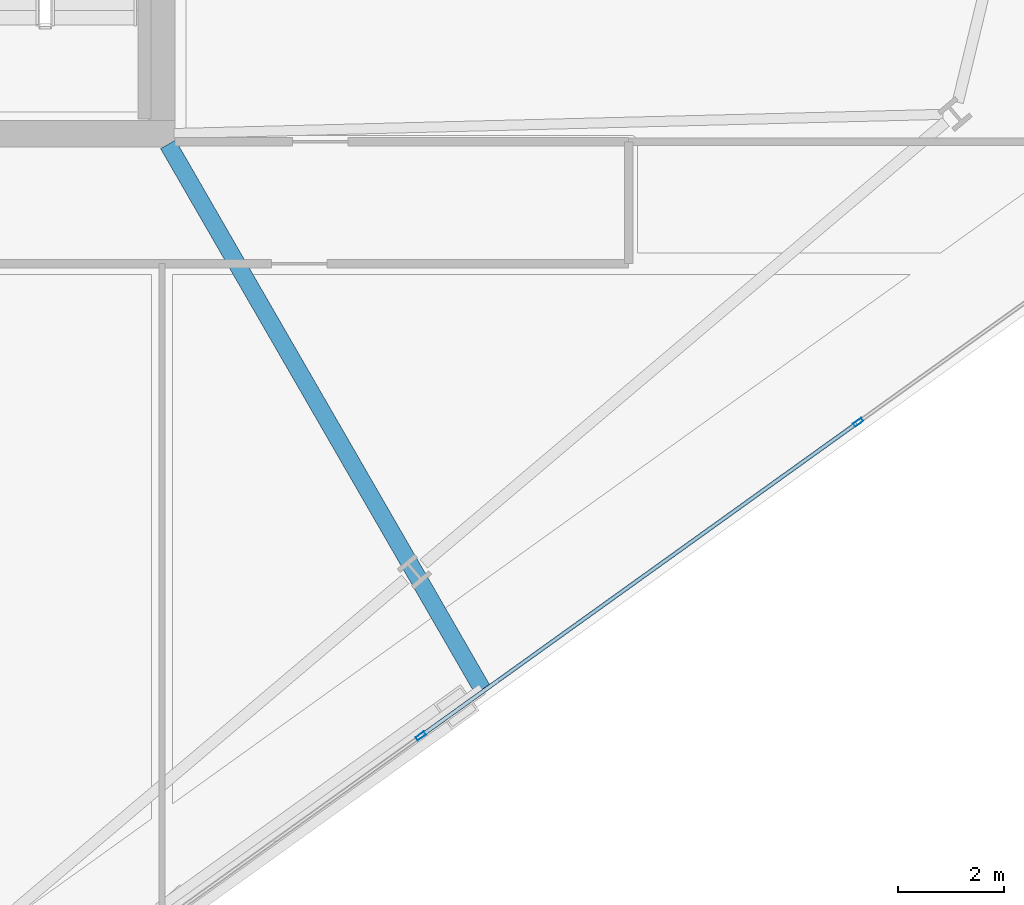
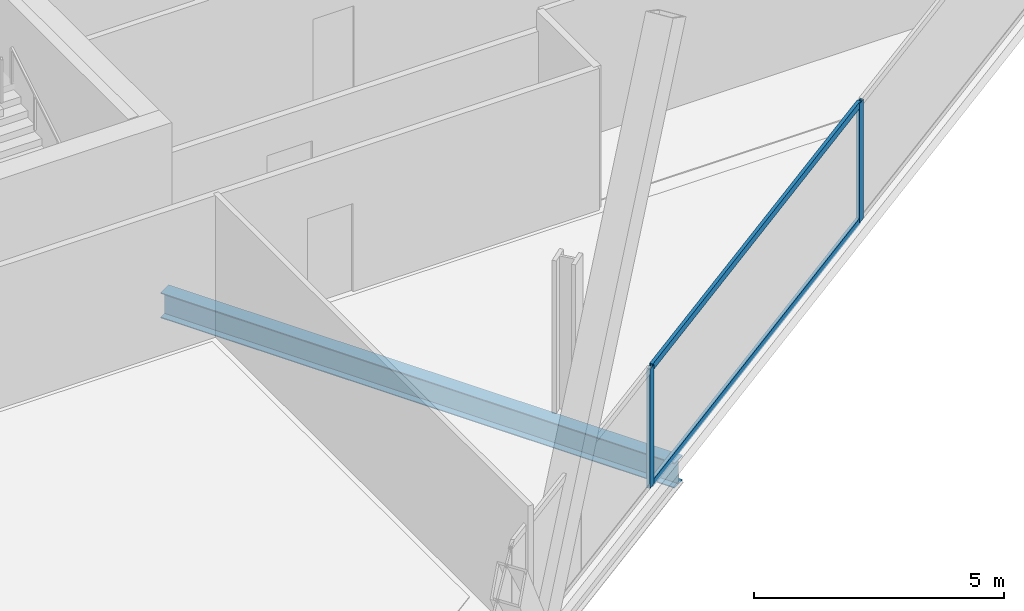
# One storey, part 8 of 33: 4 members, 1 beam, 1 element without a shape of its own.
"""IFC4 building model written with IfcOpenShell, lengths in metres."""

from ifc_helpers import new_model, si_unit, direction, frame, origin, origin_2d, place, context, subcontext, project, spatial, hollow_rectangle, i_section, extrude, material, material_profile, profile_set, type_object, element, aggregate, save


model = new_model("IFC4")

# Units and contexts
model_context = context("Model", 3, precision=1e-05, world=origin(), true_north=direction((0.0, 1.0)))
body_context = subcontext(model_context, "Body", "Model", "MODEL_VIEW")
ifc_project = project(units=[si_unit("LENGTHUNIT", "METRE"), si_unit("AREAUNIT", "SQUARE_METRE"), si_unit("VOLUMEUNIT", "CUBIC_METRE"), si_unit("PLANEANGLEUNIT", "RADIAN"), si_unit("MASSUNIT", "GRAM", prefix="KILO")], contexts=[model_context])

# Site, building, storey
site_placement = place(None, origin())
site = spatial("IfcSite", under=ifc_project, at=site_placement, CompositionType="ELEMENT")
building_placement = place(site_placement, origin())
building = spatial("IfcBuilding", under=site, at=building_placement, Name="Haldenkirk Collegiate Tower", CompositionType="ELEMENT")
storey_placement = place(building_placement, frame((0.0, 0.0, 148.199951171875)))
storey = spatial("IfcBuildingStorey", under=building, at=storey_placement, Name="L36", CompositionType="ELEMENT", Elevation=148.199951171875)

# Beam
ifc_material_1 = material(Name="Steel ASTM A992 Grade 50", Category="steel")
ifc_material_profile_1 = material_profile(ifc_material_1, i_section(OverallWidth=0.324951171875, OverallDepth=0.615966796875, WebThickness=0.013916015625, FlangeThickness=0.021484375, at=origin_2d()), Name="W24X117")
ifc_profile_set_1 = profile_set([ifc_material_profile_1], Name="Steel ASTM A992 Grade 50")
beam_type = type_object("IfcBeamType", Name="BM-GIRDER-W24X117", PredefinedType="BEAM", material=ifc_profile_set_1)
beam_placement = place(storey_placement, frame((51.0419921875, 7.5244140625, -0.597900390625), z_axis=(-0.499616741119, 0.866246565357, 0.0), x_axis=(-0.866246565357, -0.499616741119, 0.0)))
element("IfcBeam", 1, at=beam_placement, inside=storey, type_object=beam_type, Name="L36 primary floor girder 06", PredefinedType="BEAM", context=body_context, shape_type="SweptSolid", body=[
    extrude(i_section(OverallWidth=0.324951171875, OverallDepth=0.615966796875, WebThickness=0.013916015625, FlangeThickness=0.021484375, at=origin_2d()), origin(), (0.0, 0.0, 1.0), 11.863037109375),
])

# Curtain wall, members
ifc_material_2 = material(Name="Anodised architectural bronze aluminium", Category="aluminium")
curtain_wall_type = type_object("IfcCurtainWallType", Name="CW-SYS2-CONCAVE", PredefinedType="USERDEFINED", material=ifc_material_2)
curtain_wall_placement = place(storey_placement, origin())
curtain_wall = element("IfcCurtainWall", 2, at=curtain_wall_placement, inside=storey, type_object=curtain_wall_type, Name="L36 South concave recessed bronze-anodised curtain wall", ObjectType="UNITISED CURTAIN WALL", PredefinedType="USERDEFINED")
ifc_material_profile_2 = material_profile(ifc_material_2, hollow_rectangle(XDim=0.074951171875, YDim=0.18994140625, WallThickness=0.0048828125, at=origin_2d()), Name="CW-MUL-02")
ifc_profile_set_2 = profile_set([ifc_material_profile_2], Name="Anodised architectural bronze aluminium")
member_type_1 = type_object("IfcMemberType", Name="CW-MUL-02", PredefinedType="MULLION", material=ifc_profile_set_2)
member_1_placement = place(storey_placement, frame((58.130859375, 12.559814453125, 0.0), z_axis=(0.0, 0.0, 1.0), x_axis=(0.582833529689, -0.812591580482, 0.0)))
member_1 = element("IfcMember", 3, at=member_1_placement, type_object=member_type_1, Name="CW-02 mullion 2", PredefinedType="MULLION", context=body_context, shape_type="SweptSolid", body=[
    extrude(hollow_rectangle(XDim=0.074951171875, YDim=0.18994140625, WallThickness=0.0048828125, at=origin_2d()), origin(), (0.0, 0.0, 1.0), 2.9111328125),
])
member_2_placement = place(storey_placement, frame((49.883056640625, 6.64404296875, 0.0), z_axis=(0.0, 0.0, 1.0), x_axis=(0.582833529689, -0.812591580482, 0.0)))
member_2 = element("IfcMember", 4, at=member_2_placement, type_object=member_type_1, Name="CW-02 mullion 3", PredefinedType="MULLION", context=body_context, shape_type="SweptSolid", body=[
    extrude(hollow_rectangle(XDim=0.074951171875, YDim=0.18994140625, WallThickness=0.0048828125, at=origin_2d()), origin(), (0.0, 0.0, 1.0), 2.9111328125),
])
ifc_material_profile_3 = material_profile(ifc_material_2, hollow_rectangle(XDim=0.074951171875, YDim=0.159912109375, WallThickness=0.0048828125, at=origin_2d()), Name="CW-TRN-02")
ifc_profile_set_3 = profile_set([ifc_material_profile_3], Name="Anodised architectural bronze aluminium")
member_type_2 = type_object("IfcMemberType", Name="CW-TRN-02", PredefinedType="USERDEFINED", material=ifc_profile_set_3)
member_3_placement = place(storey_placement, frame((58.100341796875, 12.5380859375, 0.03759765625), z_axis=(-0.812587400716, -0.582839357111, 0.0), x_axis=(0.582839357111, -0.812587400716, 0.0)))
member_3 = element("IfcMember", 5, at=member_3_placement, type_object=member_type_2, Name="CW-02 transom 2.1", ObjectType="TRANSOM", PredefinedType="USERDEFINED", context=body_context, shape_type="SweptSolid", body=[
    extrude(hollow_rectangle(XDim=0.074951171875, YDim=0.159912109375, WallThickness=0.0048828125, at=origin_2d()), origin(), (0.0, 0.0, 1.0), 10.074951171875),
])
member_4_placement = place(storey_placement, frame((58.100341796875, 12.5380859375, 2.87353515625), z_axis=(-0.812587400716, -0.582839357111, 0.0), x_axis=(0.582839357111, -0.812587400716, 0.0)))
member_4 = element("IfcMember", 6, at=member_4_placement, type_object=member_type_2, Name="CW-02 transom 2.2", ObjectType="TRANSOM", PredefinedType="USERDEFINED", context=body_context, shape_type="SweptSolid", body=[
    extrude(hollow_rectangle(XDim=0.074951171875, YDim=0.159912109375, WallThickness=0.0048828125, at=origin_2d()), origin(), (0.0, 0.0, 1.0), 10.074951171875),
])
aggregate(curtain_wall, [member_1, member_2, member_3, member_4])

save(model, "model.ifc")
